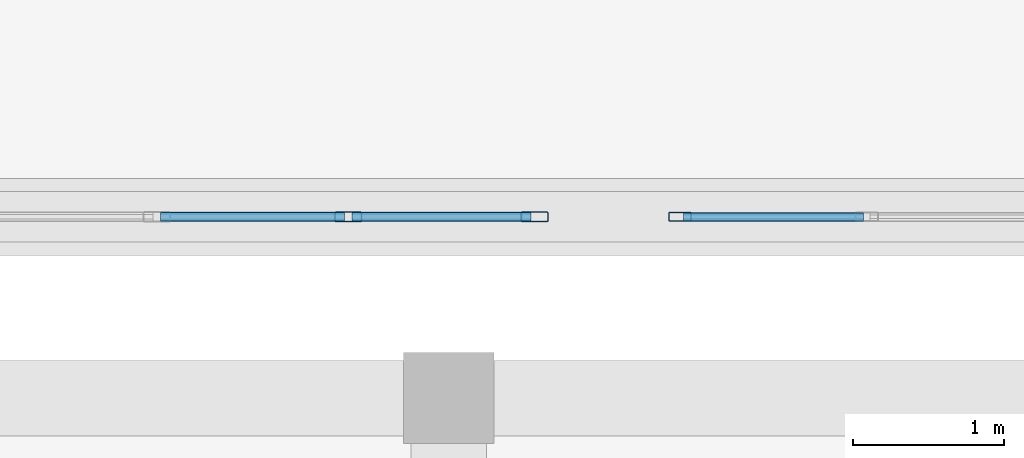
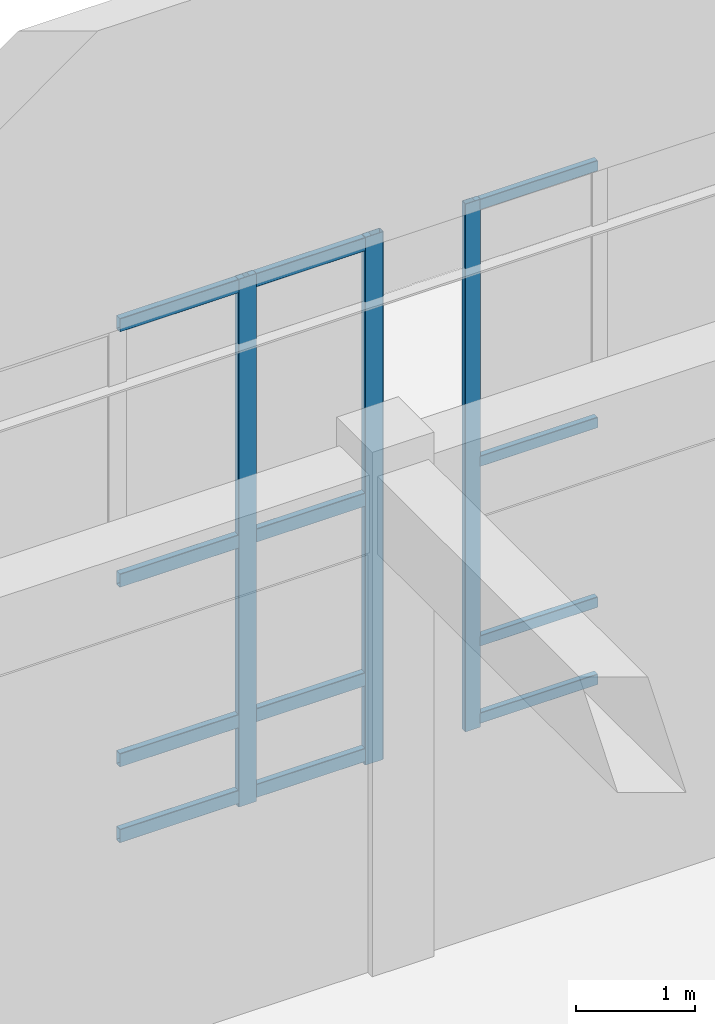
# One storey, part 109 of 197: 15 members, 2 elements without a shape of their own.
"""IFC4 building model written with IfcOpenShell, lengths in metres."""

from ifc_helpers import new_model, si_unit, derived_unit, direction, frame, origin, origin_2d, place, context, subcontext, project, spatial, hollow_rectangle, extrude, material, layer, layer_set, material_profile, profile_set, type_object, element, aggregate, save


model = new_model("IFC4")

# Units and contexts
model_context = context("Model", 3, precision=1e-05, world=origin(), true_north=direction((0.0, 1.0)))
body_context = subcontext(model_context, "Body", "Model", "MODEL_VIEW")
ifc_project = project(units=[si_unit("LENGTHUNIT", "METRE"), si_unit("AREAUNIT", "SQUARE_METRE"), si_unit("VOLUMEUNIT", "CUBIC_METRE"), si_unit("PLANEANGLEUNIT", "RADIAN"), si_unit("MASSUNIT", "GRAM", prefix="KILO"), derived_unit("THERMALTRANSMITTANCEUNIT", [(si_unit("POWERUNIT", "WATT"), 1), (si_unit("LENGTHUNIT", "METRE"), -2), (si_unit("THERMODYNAMICTEMPERATUREUNIT", "KELVIN"), -1)])], contexts=[model_context])

# Site, building, storey
site_placement = place(None, origin())
site = spatial("IfcSite", under=ifc_project, at=site_placement, CompositionType="ELEMENT")
building_placement = place(site_placement, origin())
building = spatial("IfcBuilding", under=site, at=building_placement, Name="Almenara Railside Exhibition Hall", CompositionType="ELEMENT")
storey_placement = place(building_placement, frame((0.0, 0.0, 5.39990234375)))
storey = spatial("IfcBuildingStorey", under=building, at=storey_placement, Name="L01", CompositionType="ELEMENT", Elevation=5.39990234375)

# Curtain wall, member
ifc_material_1 = material(Name="Bronze-anodised aluminium and low-E double glazing", Category="aluminium")
ifc_layer = layer(ifc_material_1, 0.179931640625, Name="Bronze-anodised aluminium and low-E double glazing")
ifc_layer_set = layer_set([ifc_layer], Name="Bronze-anodised aluminium and low-E double glazing")
curtain_wall_type = type_object("IfcCurtainWallType", Name="Scroll Gable Tall Curtain Wall 3800x5400", PredefinedType="NOTDEFINED", material=ifc_layer_set)
curtain_wall_1_placement = place(storey_placement, origin())
curtain_wall_1 = element("IfcCurtainWall", 1, at=curtain_wall_1_placement, inside=storey, type_object=curtain_wall_type, Name="Curtain wall CW-G1-082", PredefinedType="NOTDEFINED")
ifc_material_2 = material(Name="Bronze-anodised aluminium", Category="aluminium")
ifc_material_profile_1 = material_profile(ifc_material_2, hollow_rectangle(XDim=0.06005859375, YDim=0.14990234375, WallThickness=0.00341796875, InnerFilletRadius=0.00341796875, OuterFilletRadius=0.007080078125, at=origin_2d()), Name="ALU-MUL 60x150x3.5")
ifc_profile_set_1 = profile_set([ifc_material_profile_1], Name="Bronze-anodised aluminium")
member_type_1 = type_object("IfcMemberType", Name="Curtain Wall Mullion 60x150x3.5", PredefinedType="MULLION", material=ifc_profile_set_1)
member_1_placement = place(storey_placement, frame((163.530029296875, 34.0, 1.01513671875), z_axis=(0.0, 0.0, 1.0), x_axis=(0.0, 1.0, 0.0)))
member_1 = element("IfcMember", 2, at=member_1_placement, type_object=member_type_1, Name="CW-G1-082 mullion 1", PredefinedType="MULLION", context=body_context, shape_type="SweptSolid", body=[
    extrude(hollow_rectangle(XDim=0.06005859375, YDim=0.14990234375, WallThickness=0.00341796875, InnerFilletRadius=0.00341796875, OuterFilletRadius=0.007080078125, at=origin_2d()), origin(), (0.0, 0.0, 1.0), 5.43505859375),
])

# Curtain wall, members
curtain_wall_2_placement = place(storey_placement, origin())
curtain_wall_2 = element("IfcCurtainWall", 3, at=curtain_wall_2_placement, inside=storey, type_object=curtain_wall_type, Name="Curtain wall CW-G1-081", PredefinedType="NOTDEFINED")
ifc_material_profile_2 = material_profile(ifc_material_2, hollow_rectangle(XDim=0.06494140625, YDim=0.179931640625, WallThickness=0.00390625, InnerFilletRadius=0.00390625, OuterFilletRadius=0.008056640625, at=origin_2d()), Name="ALU-MUL 65x180x4")
ifc_profile_set_2 = profile_set([ifc_material_profile_2], Name="Bronze-anodised aluminium")
member_type_2 = type_object("IfcMemberType", Name="Curtain Wall Mullion 65x180x4", PredefinedType="MULLION", material=ifc_profile_set_2)
member_2_placement = place(storey_placement, frame((161.333251953125, 34.0, 1.01513671875), z_axis=(0.0, 0.0, 1.0), x_axis=(0.0, 1.0, 0.0)))
member_2 = element("IfcMember", 4, at=member_2_placement, type_object=member_type_2, Name="CW-G1-081 mullion 3", PredefinedType="MULLION", context=body_context, shape_type="SweptSolid", body=[
    extrude(hollow_rectangle(XDim=0.06494140625, YDim=0.179931640625, WallThickness=0.00390625, InnerFilletRadius=0.00390625, OuterFilletRadius=0.008056640625, at=origin_2d()), origin(), (0.0, 0.0, 1.0), 5.43505859375),
])
member_3_placement = place(storey_placement, frame((162.5673828125, 34.0, 1.01513671875), z_axis=(0.0, 0.0, 1.0), x_axis=(0.0, 1.0, 0.0)))
member_3 = element("IfcMember", 5, at=member_3_placement, type_object=member_type_2, Name="CW-G1-081 mullion 4", PredefinedType="MULLION", context=body_context, shape_type="SweptSolid", body=[
    extrude(hollow_rectangle(XDim=0.06494140625, YDim=0.179931640625, WallThickness=0.00390625, InnerFilletRadius=0.00390625, OuterFilletRadius=0.008056640625, at=origin_2d()), origin(), (0.0, 0.0, 1.0), 5.43505859375),
])

# Member
ifc_material_profile_3 = material_profile(ifc_material_2, hollow_rectangle(XDim=0.06005859375, YDim=0.110107421875, WallThickness=0.0029296875, InnerFilletRadius=0.0029296875, OuterFilletRadius=0.006103515625, at=origin_2d()), Name="ALU-TRN 60x110x3")
ifc_profile_set_3 = profile_set([ifc_material_profile_3], Name="Bronze-anodised aluminium")
member_type_3 = type_object("IfcMemberType", Name="Curtain Wall Transom 60x110x3", PredefinedType="USERDEFINED", material=ifc_profile_set_3)
member_4_placement = place(storey_placement, frame((163.552001953125, 34.0, 1.10498046875), z_axis=(1.0, 0.0, 0.0), x_axis=(0.0, 1.0, 0.0)))
member_4 = element("IfcMember", 6, at=member_4_placement, type_object=member_type_3, Name="CW-G1-082 transom 1.1", ObjectType="TRANSOM", PredefinedType="USERDEFINED", context=body_context, shape_type="SweptSolid", body=[
    extrude(hollow_rectangle(XDim=0.06005859375, YDim=0.110107421875, WallThickness=0.0029296875, InnerFilletRadius=0.0029296875, OuterFilletRadius=0.006103515625, at=origin_2d()), origin(), (0.0, 0.0, 1.0), 1.192626953125),
])

member_5_placement = place(storey_placement, frame((163.552001953125, 34.0, 1.900146484375), z_axis=(1.0, 0.0, 0.0), x_axis=(0.0, 1.0, 0.0)))
member_5 = element("IfcMember", 7, at=member_5_placement, type_object=member_type_3, Name="CW-G1-082 transom 1.2", ObjectType="TRANSOM", PredefinedType="USERDEFINED", context=body_context, shape_type="SweptSolid", body=[
    extrude(hollow_rectangle(XDim=0.06005859375, YDim=0.110107421875, WallThickness=0.0029296875, InnerFilletRadius=0.0029296875, OuterFilletRadius=0.006103515625, at=origin_2d()), origin(), (0.0, 0.0, 1.0), 1.192626953125),
])

member_6_placement = place(storey_placement, frame((163.552001953125, 34.0, 3.75), z_axis=(1.0, 0.0, 0.0), x_axis=(0.0, 1.0, 0.0)))
member_6 = element("IfcMember", 8, at=member_6_placement, type_object=member_type_3, Name="CW-G1-082 transom 1.3", ObjectType="TRANSOM", PredefinedType="USERDEFINED", context=body_context, shape_type="SweptSolid", body=[
    extrude(hollow_rectangle(XDim=0.06005859375, YDim=0.110107421875, WallThickness=0.0029296875, InnerFilletRadius=0.0029296875, OuterFilletRadius=0.006103515625, at=origin_2d()), origin(), (0.0, 0.0, 1.0), 1.192626953125),
])

member_7_placement = place(storey_placement, frame((163.552001953125, 34.0, 6.39501953125), z_axis=(1.0, 0.0, 0.0), x_axis=(0.0, 1.0, 0.0)))
member_7 = element("IfcMember", 9, at=member_7_placement, type_object=member_type_3, Name="CW-G1-082 transom 1.4", ObjectType="TRANSOM", PredefinedType="USERDEFINED", context=body_context, shape_type="SweptSolid", body=[
    extrude(hollow_rectangle(XDim=0.06005859375, YDim=0.110107421875, WallThickness=0.0029296875, InnerFilletRadius=0.0029296875, OuterFilletRadius=0.006103515625, at=origin_2d()), origin(), (0.0, 0.0, 1.0), 1.192626953125),
])

aggregate(curtain_wall_1, [member_1, member_4, member_5, member_6, member_7])

ifc_material_profile_4 = material_profile(ifc_material_2, hollow_rectangle(XDim=0.06494140625, YDim=0.139892578125, WallThickness=0.00341796875, InnerFilletRadius=0.00341796875, OuterFilletRadius=0.007080078125, at=origin_2d()), Name="ALU-TRN 65x140x3.5")
ifc_profile_set_4 = profile_set([ifc_material_profile_4], Name="Bronze-anodised aluminium")
member_type_4 = type_object("IfcMemberType", Name="Curtain Wall Transom 65x140x3.5", PredefinedType="USERDEFINED", material=ifc_profile_set_4)
member_8_placement = place(storey_placement, frame((160.091064453125, 34.0, 1.1201171875), z_axis=(1.0, 0.0, 0.0), x_axis=(0.0, 1.0, 0.0)))
member_8 = element("IfcMember", 10, at=member_8_placement, type_object=member_type_4, Name="CW-G1-081 transom 2.1", ObjectType="TRANSOM", PredefinedType="USERDEFINED", context=body_context, shape_type="SweptSolid", body=[
    extrude(hollow_rectangle(XDim=0.06494140625, YDim=0.139892578125, WallThickness=0.00341796875, InnerFilletRadius=0.00341796875, OuterFilletRadius=0.007080078125, at=origin_2d()), origin(), (0.0, 0.0, 1.0), 1.2177734375),
])

member_9_placement = place(storey_placement, frame((160.091064453125, 34.0, 1.900146484375), z_axis=(1.0, 0.0, 0.0), x_axis=(0.0, 1.0, 0.0)))
member_9 = element("IfcMember", 11, at=member_9_placement, type_object=member_type_4, Name="CW-G1-081 transom 2.2", ObjectType="TRANSOM", PredefinedType="USERDEFINED", context=body_context, shape_type="SweptSolid", body=[
    extrude(hollow_rectangle(XDim=0.06494140625, YDim=0.139892578125, WallThickness=0.00341796875, InnerFilletRadius=0.00341796875, OuterFilletRadius=0.007080078125, at=origin_2d()), origin(), (0.0, 0.0, 1.0), 1.2177734375),
])

member_10_placement = place(storey_placement, frame((160.091064453125, 34.0, 3.75), z_axis=(1.0, 0.0, 0.0), x_axis=(0.0, 1.0, 0.0)))
member_10 = element("IfcMember", 12, at=member_10_placement, type_object=member_type_4, Name="CW-G1-081 transom 2.3", ObjectType="TRANSOM", PredefinedType="USERDEFINED", context=body_context, shape_type="SweptSolid", body=[
    extrude(hollow_rectangle(XDim=0.06494140625, YDim=0.139892578125, WallThickness=0.00341796875, InnerFilletRadius=0.00341796875, OuterFilletRadius=0.007080078125, at=origin_2d()), origin(), (0.0, 0.0, 1.0), 1.2177734375),
])

member_11_placement = place(storey_placement, frame((160.091064453125, 34.0, 6.380126953125), z_axis=(1.0, 0.0, 0.0), x_axis=(0.0, 1.0, 0.0)))
member_11 = element("IfcMember", 13, at=member_11_placement, type_object=member_type_4, Name="CW-G1-081 transom 2.4", ObjectType="TRANSOM", PredefinedType="USERDEFINED", context=body_context, shape_type="SweptSolid", body=[
    extrude(hollow_rectangle(XDim=0.06494140625, YDim=0.139892578125, WallThickness=0.00341796875, InnerFilletRadius=0.00341796875, OuterFilletRadius=0.007080078125, at=origin_2d()), origin(), (0.0, 0.0, 1.0), 1.2177734375),
])

member_12_placement = place(storey_placement, frame((161.35791015625, 34.0, 1.1201171875), z_axis=(1.0, 0.0, 0.0), x_axis=(0.0, 1.0, 0.0)))
member_12 = element("IfcMember", 14, at=member_12_placement, type_object=member_type_4, Name="CW-G1-081 transom 3.1", ObjectType="TRANSOM", PredefinedType="USERDEFINED", context=body_context, shape_type="SweptSolid", body=[
    extrude(hollow_rectangle(XDim=0.06494140625, YDim=0.139892578125, WallThickness=0.00341796875, InnerFilletRadius=0.00341796875, OuterFilletRadius=0.007080078125, at=origin_2d()), origin(), (0.0, 0.0, 1.0), 1.18505859375),
])

member_13_placement = place(storey_placement, frame((161.35791015625, 34.0, 1.900146484375), z_axis=(1.0, 0.0, 0.0), x_axis=(0.0, 1.0, 0.0)))
member_13 = element("IfcMember", 15, at=member_13_placement, type_object=member_type_4, Name="CW-G1-081 transom 3.2", ObjectType="TRANSOM", PredefinedType="USERDEFINED", context=body_context, shape_type="SweptSolid", body=[
    extrude(hollow_rectangle(XDim=0.06494140625, YDim=0.139892578125, WallThickness=0.00341796875, InnerFilletRadius=0.00341796875, OuterFilletRadius=0.007080078125, at=origin_2d()), origin(), (0.0, 0.0, 1.0), 1.18505859375),
])

member_14_placement = place(storey_placement, frame((161.35791015625, 34.0, 3.75), z_axis=(1.0, 0.0, 0.0), x_axis=(0.0, 1.0, 0.0)))
member_14 = element("IfcMember", 16, at=member_14_placement, type_object=member_type_4, Name="CW-G1-081 transom 3.3", ObjectType="TRANSOM", PredefinedType="USERDEFINED", context=body_context, shape_type="SweptSolid", body=[
    extrude(hollow_rectangle(XDim=0.06494140625, YDim=0.139892578125, WallThickness=0.00341796875, InnerFilletRadius=0.00341796875, OuterFilletRadius=0.007080078125, at=origin_2d()), origin(), (0.0, 0.0, 1.0), 1.18505859375),
])

member_15_placement = place(storey_placement, frame((161.35791015625, 34.0, 6.380126953125), z_axis=(1.0, 0.0, 0.0), x_axis=(0.0, 1.0, 0.0)))
member_15 = element("IfcMember", 17, at=member_15_placement, type_object=member_type_4, Name="CW-G1-081 transom 3.4", ObjectType="TRANSOM", PredefinedType="USERDEFINED", context=body_context, shape_type="SweptSolid", body=[
    extrude(hollow_rectangle(XDim=0.06494140625, YDim=0.139892578125, WallThickness=0.00341796875, InnerFilletRadius=0.00341796875, OuterFilletRadius=0.007080078125, at=origin_2d()), origin(), (0.0, 0.0, 1.0), 1.18505859375),
])

aggregate(curtain_wall_2, [member_2, member_3, member_8, member_9, member_10, member_11, member_12, member_13, member_14, member_15])

save(model, "model.ifc")
